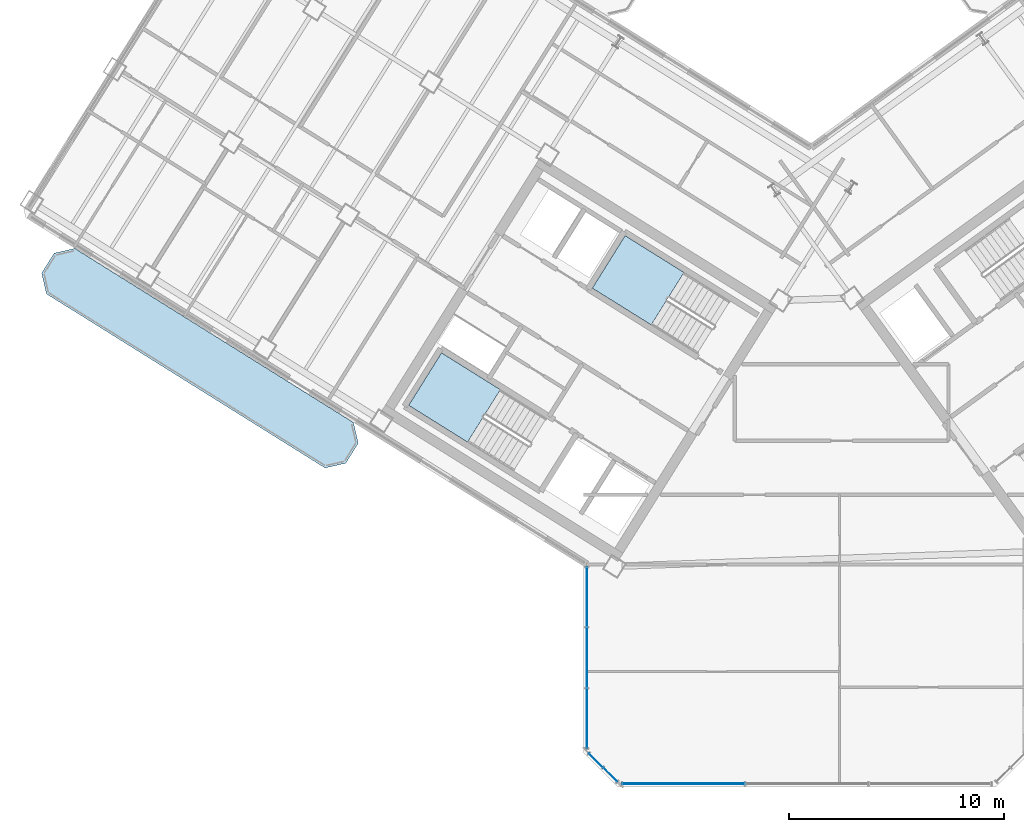
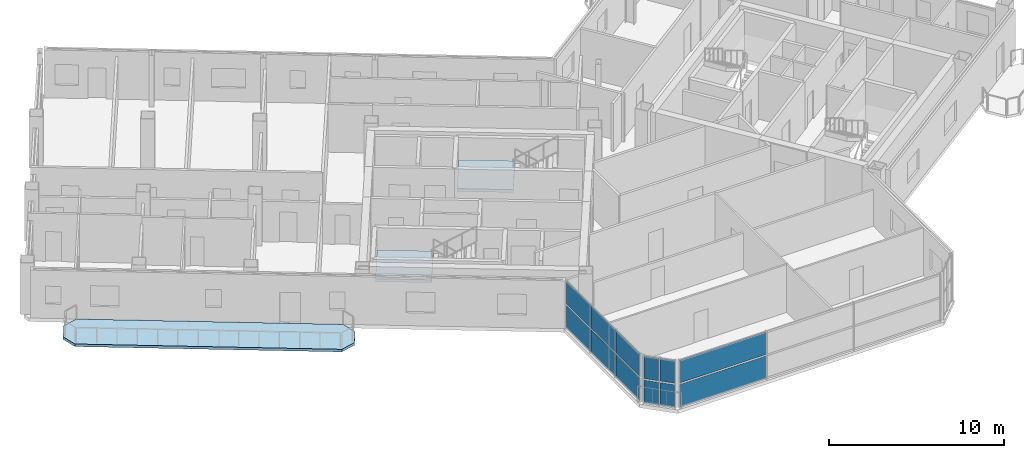
# One storey, part 8 of 21: 12 plates, 3 slabs, 5 elements without a shape of their own.
"""IFC4 building model written with IfcOpenShell, lengths in metres."""

from ifc_helpers import new_model, si_unit, direction, frame, origin, origin_2d, place, context, subcontext, project, spatial, polyline, rectangle, outline, extrude, source, transform, mapped, material, layer, layer_set, type_object, element, aggregate, save


model = new_model("IFC4")

# Units and contexts
model_context = context("Model", 3, precision=1e-05, world=origin(), true_north=direction((0.0, 1.0)))
body_context = subcontext(model_context, "Body", "Model", "MODEL_VIEW")
ifc_project = project(units=[si_unit("LENGTHUNIT", "METRE"), si_unit("AREAUNIT", "SQUARE_METRE"), si_unit("VOLUMEUNIT", "CUBIC_METRE"), si_unit("PLANEANGLEUNIT", "RADIAN"), si_unit("MASSUNIT", "GRAM", prefix="KILO")], contexts=[model_context])

# Site, building, storey
site_placement = place(None, origin())
site = spatial("IfcSite", under=ifc_project, at=site_placement, CompositionType="ELEMENT")
building_placement = place(site_placement, origin())
building = spatial("IfcBuilding", under=site, at=building_placement, Name="Tlacorven Tower", CompositionType="ELEMENT")
storey_placement = place(building_placement, frame((0.0, 0.0, 207.60009765625)))
storey = spatial("IfcBuildingStorey", under=building, at=storey_placement, Name="L52", CompositionType="ELEMENT", Elevation=207.60009765625)

# Slab
ifc_material_1 = material(Name="Precast concrete C45/55", Category="concrete")
ifc_layer_1 = layer(ifc_material_1, 0.179931640625)
ifc_layer_set_1 = layer_set([ifc_layer_1], Name="Precast concrete C45/55")
slab_type_1 = type_object("IfcSlabType", Name="SL-BAL-180", PredefinedType="USERDEFINED", material=ifc_layer_set_1)
slab_1_placement = place(storey_placement, frame((0.0, 0.0, -0.18017578125)))
element("IfcSlab", 1, at=slab_1_placement, inside=storey, type_object=slab_type_1, Name="L52 West Wing Balcony Ribbon OUT", ObjectType="BALCONY SLAB", PredefinedType="USERDEFINED", context=body_context, shape_type="SweptSolid", body=[
    extrude(outline(polyline([(20.88671875, 18.78271484375), (7.91162109375, 26.890625), (6.947021484375, 26.66796875), (6.366943359375, 25.7392578125), (6.589599609375, 24.774658203125), (19.564697265625, 16.6669921875), (20.529296875, 16.8896484375), (21.109375, 17.818115234375), (20.88671875, 18.78271484375)])), origin(), (0.0, 0.0, 1.0), 0.18017578125),
])

# Stair, slab
ifc_material_2 = material(Name="Concrete C40/50", Category="concrete")
stair_type = type_object("IfcStairType", Name="ST-CORE-DLG", PredefinedType="HALF_TURN_STAIR", material=ifc_material_2)
stair_1_placement = place(storey_placement, origin())
stair_1 = element("IfcStair", 2, at=stair_1_placement, inside=storey, type_object=stair_type, Name="L52 Protected Exit Stair West 1", PredefinedType="HALF_TURN_STAIR")
ifc_layer_2 = layer(ifc_material_2, 0.199951171875)
ifc_layer_set_2 = layer_set([ifc_layer_2], Name="Concrete C40/50")
slab_type_2 = type_object("IfcSlabType", Name="SL-LND-200", PredefinedType="LANDING", material=ifc_layer_set_2)
slab_2_placement = place(storey_placement, frame((0.0, 0.0, 1.599853515625)))
slab_2 = element("IfcSlab", 3, at=slab_2_placement, type_object=slab_type_2, Name="ST-W1 landing 1", PredefinedType="LANDING", context=body_context, shape_type="SweptSolid", body=[
    extrude(outline(polyline([(27.728515625, 20.315185546875), (24.9892578125, 22.02685546875), (23.463134765625, 19.58447265625), (26.2021484375, 17.872802734375), (27.728515625, 20.315185546875)])), origin(), (0.0, 0.0, 1.0), 0.199951171875),
])
aggregate(stair_1, [slab_2])

stair_2_placement = place(storey_placement, origin())
stair_2 = element("IfcStair", 4, at=stair_2_placement, inside=storey, type_object=stair_type, Name="L52 Protected Exit Stair West 2", PredefinedType="HALF_TURN_STAIR")
slab_3_placement = place(storey_placement, frame((0.0, 0.0, 1.599853515625)))
slab_3 = element("IfcSlab", 5, at=slab_3_placement, type_object=slab_type_2, Name="ST-W2 landing 1", PredefinedType="LANDING", context=body_context, shape_type="SweptSolid", body=[
    extrude(outline(polyline([(36.280029296875, 25.772705078125), (33.540771484375, 27.484375), (32.0146484375, 25.0419921875), (34.75390625, 23.33056640625), (36.280029296875, 25.772705078125)])), origin(), (0.0, 0.0, 1.0), 0.199951171875),
])
aggregate(stair_2, [slab_3])

# Curtain wall, plates
ifc_material_3 = material(Name="Dark solar low-E double glazing in aluminium frame", Category="aluminium")
curtain_wall_type = type_object("IfcCurtainWallType", Name="CW-TWR-HIGH", PredefinedType="USERDEFINED", material=ifc_material_3)
curtain_wall_1_placement = place(storey_placement, origin())
curtain_wall_1 = element("IfcCurtainWall", 6, at=curtain_wall_1_placement, inside=storey, type_object=curtain_wall_type, Name="L52 CW-TWR-HIGH Curtain Wall 238", ObjectType="UNITISED CURTAIN WALL", PredefinedType="USERDEFINED")
ifc_material_4 = material(Name="High-wind dark solar tempered low-E glazing", Category="glass")
ifc_layer_3 = layer(ifc_material_4, 0.028076171875)
ifc_layer_set_3 = layer_set([ifc_layer_3], Name="High-wind dark solar tempered low-E glazing")
plate_type = type_object("IfcPlateType", Name="CWP-03", PredefinedType="CURTAIN_PANEL", material=ifc_layer_set_3)
shared_shape_1 = source(origin(), body_context, "Body", "SweptSolid", [
    extrude(rectangle(XDim=0.89306640625, YDim=0.028076171875, at=origin_2d()), origin(), (0.0, 0.0, 1.0), 1.572998046875),
])
plate_1_placement = place(storey_placement, frame((32.84375, 2.382568359375, 0.05078125), z_axis=(0.0, 0.0, 1.0), x_axis=(-0.707106781187, 0.707106781187, 0.0)))
plate_1 = element("IfcPlate", 7, at=plate_1_placement, type_object=plate_type, Name="CW-L52-238 Glazing Panel 1", PredefinedType="CURTAIN_PANEL", context=body_context, shape_type="MappedRepresentation", body=[
    mapped(shared_shape_1, transform((0.0, 0.0, 0.0), scale=1.0)),
])
plate_2_placement = place(storey_placement, frame((32.84375, 2.382568359375, 1.72607421875), z_axis=(0.0, 0.0, 1.0), x_axis=(-0.707106781187, 0.707106781187, 0.0)))
plate_2 = element("IfcPlate", 8, at=plate_2_placement, type_object=plate_type, Name="CW-L52-238 Glazing Panel 2", PredefinedType="CURTAIN_PANEL", context=body_context, shape_type="MappedRepresentation", body=[
    mapped(shared_shape_1, transform((0.0, 0.0, 0.0), scale=1.0)),
])
plate_3_placement = place(storey_placement, frame((32.1826171875, 3.043701171875, 0.05078125), z_axis=(0.0, 0.0, 1.0), x_axis=(-0.707106781187, 0.707106781187, 0.0)))
plate_3 = element("IfcPlate", 9, at=plate_3_placement, type_object=plate_type, Name="CW-L52-238 Glazing Panel 3", PredefinedType="CURTAIN_PANEL", context=body_context, shape_type="MappedRepresentation", body=[
    mapped(shared_shape_1, transform((0.0, 0.0, 0.0), scale=1.0)),
])
plate_4_placement = place(storey_placement, frame((32.1826171875, 3.043701171875, 1.72607421875), z_axis=(0.0, 0.0, 1.0), x_axis=(-0.707106781187, 0.707106781187, 0.0)))
plate_4 = element("IfcPlate", 10, at=plate_4_placement, type_object=plate_type, Name="CW-L52-238 Glazing Panel 4", PredefinedType="CURTAIN_PANEL", context=body_context, shape_type="MappedRepresentation", body=[
    mapped(shared_shape_1, transform((0.0, 0.0, 0.0), scale=1.0)),
])
aggregate(curtain_wall_1, [plate_1, plate_2, plate_3, plate_4])

curtain_wall_2_placement = place(storey_placement, origin())
curtain_wall_2 = element("IfcCurtainWall", 11, at=curtain_wall_2_placement, inside=storey, type_object=curtain_wall_type, Name="L52 CW-TWR-HIGH Curtain Wall 237", ObjectType="UNITISED CURTAIN WALL", PredefinedType="USERDEFINED")
shared_shape_2 = source(origin(), body_context, "Body", "SweptSolid", [
    extrude(rectangle(XDim=5.683837890625, YDim=0.028076171875, at=origin_2d()), origin(), (0.0, 0.0, 1.0), 1.572998046875),
])
plate_5_placement = place(storey_placement, frame((36.25927734375, 1.9599609375, 0.05078125), z_axis=(0.0, 0.0, 1.0), x_axis=(-1.0, 0.0, 0.0)))
plate_5 = element("IfcPlate", 12, at=plate_5_placement, type_object=plate_type, Name="CW-L52-237 Glazing Panel 5", PredefinedType="CURTAIN_PANEL", context=body_context, shape_type="MappedRepresentation", body=[
    mapped(shared_shape_2, transform((0.0, 0.0, 0.0), scale=1.0)),
])
plate_6_placement = place(storey_placement, frame((36.25927734375, 1.9599609375, 1.72607421875), z_axis=(0.0, 0.0, 1.0), x_axis=(-1.0, 0.0, 0.0)))
plate_6 = element("IfcPlate", 13, at=plate_6_placement, type_object=plate_type, Name="CW-L52-237 Glazing Panel 6", PredefinedType="CURTAIN_PANEL", context=body_context, shape_type="MappedRepresentation", body=[
    mapped(shared_shape_2, transform((0.0, 0.0, 0.0), scale=1.0)),
])
aggregate(curtain_wall_2, [plate_5, plate_6])

curtain_wall_3_placement = place(storey_placement, origin())
curtain_wall_3 = element("IfcCurtainWall", 14, at=curtain_wall_3_placement, inside=storey, type_object=curtain_wall_type, Name="L52 CW-TWR-HIGH Curtain Wall 239", ObjectType="UNITISED CURTAIN WALL", PredefinedType="USERDEFINED")
shared_shape_3 = source(origin(), body_context, "Body", "SweptSolid", [
    extrude(rectangle(XDim=2.766845703125, YDim=0.028076171875, at=origin_2d()), origin(), (0.0, 0.0, 1.0), 1.572998046875),
])
plate_7_placement = place(storey_placement, frame((31.760009765625, 5.000732421875, 0.05078125), z_axis=(0.0, 0.0, 1.0), x_axis=(0.0, 1.0, 0.0)))
plate_7 = element("IfcPlate", 15, at=plate_7_placement, type_object=plate_type, Name="CW-L52-239 Glazing Panel 1", PredefinedType="CURTAIN_PANEL", context=body_context, shape_type="MappedRepresentation", body=[
    mapped(shared_shape_3, transform((0.0, 0.0, 0.0), scale=1.0)),
])
plate_8_placement = place(storey_placement, frame((31.760009765625, 5.000732421875, 1.72607421875), z_axis=(0.0, 0.0, 1.0), x_axis=(0.0, 1.0, 0.0)))
plate_8 = element("IfcPlate", 16, at=plate_8_placement, type_object=plate_type, Name="CW-L52-239 Glazing Panel 2", PredefinedType="CURTAIN_PANEL", context=body_context, shape_type="MappedRepresentation", body=[
    mapped(shared_shape_3, transform((0.0, 0.0, 0.0), scale=1.0)),
])
plate_9_placement = place(storey_placement, frame((31.760009765625, 10.648681640625, 0.05078125), z_axis=(0.0, 0.0, 1.0), x_axis=(0.0, 1.0, 0.0)))
plate_9 = element("IfcPlate", 17, at=plate_9_placement, type_object=plate_type, Name="CW-L52-239 Glazing Panel 5", PredefinedType="CURTAIN_PANEL", context=body_context, shape_type="MappedRepresentation", body=[
    mapped(shared_shape_3, transform((0.0, 0.0, 0.0), scale=1.0)),
])
plate_10_placement = place(storey_placement, frame((31.760009765625, 10.648681640625, 1.72607421875), z_axis=(0.0, 0.0, 1.0), x_axis=(0.0, 1.0, 0.0)))
plate_10 = element("IfcPlate", 18, at=plate_10_placement, type_object=plate_type, Name="CW-L52-239 Glazing Panel 6", PredefinedType="CURTAIN_PANEL", context=body_context, shape_type="MappedRepresentation", body=[
    mapped(shared_shape_3, transform((0.0, 0.0, 0.0), scale=1.0)),
])
shared_shape_4 = source(origin(), body_context, "Body", "SweptSolid", [
    extrude(rectangle(XDim=2.796875, YDim=0.028076171875, at=origin_2d()), origin(), (0.0, 0.0, 1.0), 1.572998046875),
])
plate_11_placement = place(storey_placement, frame((31.760009765625, 7.82470703125, 0.05078125), z_axis=(0.0, 0.0, 1.0), x_axis=(0.0, 1.0, 0.0)))
plate_11 = element("IfcPlate", 19, at=plate_11_placement, type_object=plate_type, Name="CW-L52-239 Glazing Panel 3", PredefinedType="CURTAIN_PANEL", context=body_context, shape_type="MappedRepresentation", body=[
    mapped(shared_shape_4, transform((0.0, 0.0, 0.0), scale=1.0)),
])
plate_12_placement = place(storey_placement, frame((31.760009765625, 7.82470703125, 1.72607421875), z_axis=(0.0, 0.0, 1.0), x_axis=(0.0, 1.0, 0.0)))
plate_12 = element("IfcPlate", 20, at=plate_12_placement, type_object=plate_type, Name="CW-L52-239 Glazing Panel 4", PredefinedType="CURTAIN_PANEL", context=body_context, shape_type="MappedRepresentation", body=[
    mapped(shared_shape_4, transform((0.0, 0.0, 0.0), scale=1.0)),
])
aggregate(curtain_wall_3, [plate_7, plate_8, plate_11, plate_12, plate_9, plate_10])

save(model, "model.ifc")
